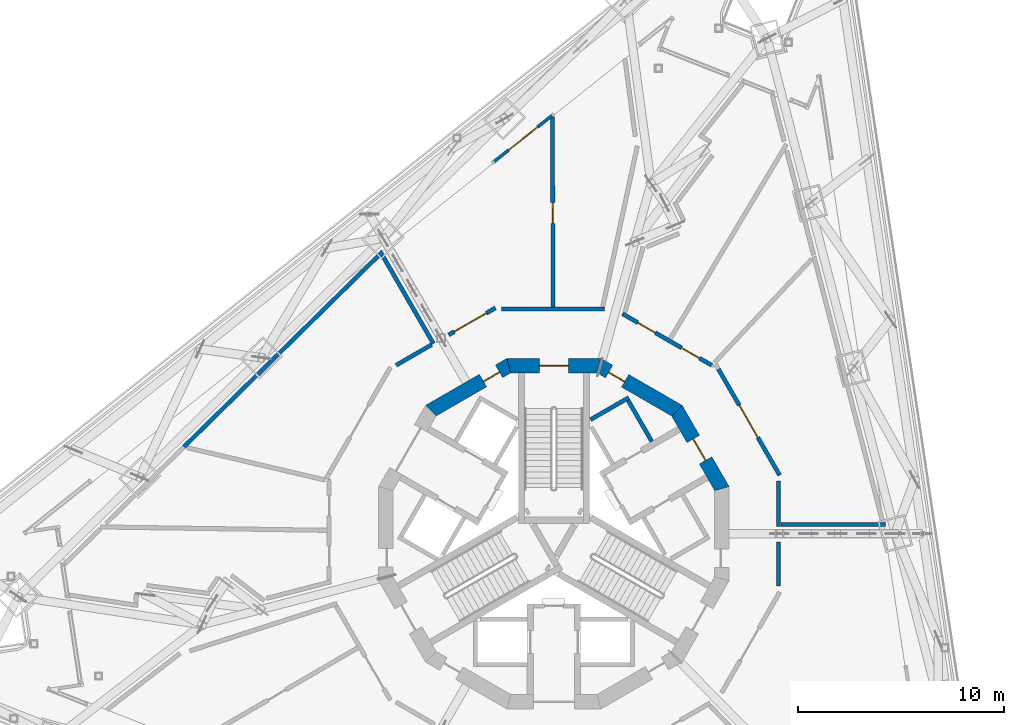
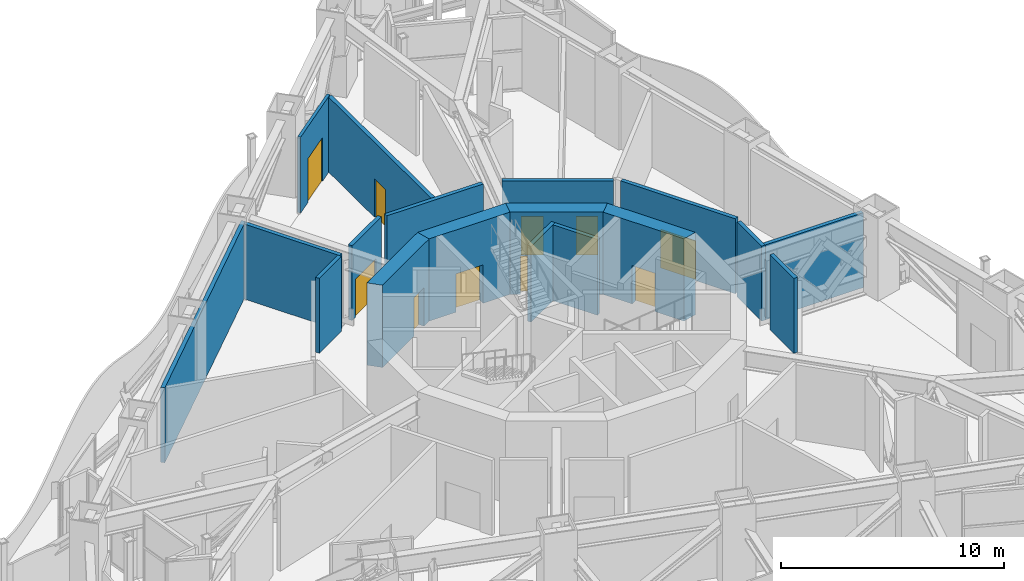
# One storey, part 13 of 27: 18 walls, 10 doors, 10 openings.
"""IFC4 building model written with IfcOpenShell, lengths in metres."""

from ifc_helpers import new_model, si_unit, direction, frame, frame_2d, origin, place, context, subcontext, project, spatial, polyline, rectangle, outline, extrude, material, layer, layer_set, type_object, element, fill, save


model = new_model("IFC4")

# Units and contexts
model_context = context("Model", 3, precision=1e-05, world=origin(), true_north=direction((0.0, 1.0)))
body_context = subcontext(model_context, "Body", "Model", "MODEL_VIEW")
ifc_project = project(units=[si_unit("LENGTHUNIT", "METRE"), si_unit("AREAUNIT", "SQUARE_METRE"), si_unit("VOLUMEUNIT", "CUBIC_METRE"), si_unit("PLANEANGLEUNIT", "RADIAN"), si_unit("MASSUNIT", "GRAM", prefix="KILO")], contexts=[model_context])

# Site, building, storey
site_placement = place(None, origin())
site = spatial("IfcSite", under=ifc_project, at=site_placement, CompositionType="ELEMENT")
building_placement = place(site_placement, origin())
building = spatial("IfcBuilding", under=site, at=building_placement, Name="Trine Commons Tower", CompositionType="ELEMENT")
storey_placement = place(building_placement, frame((0.0, 0.0, 230.39990234375)))
storey = spatial("IfcBuildingStorey", under=building, at=storey_placement, Name="L60", CompositionType="ELEMENT", Elevation=230.39990234375)

# Walls
ifc_material_1 = material(Name="Plasterboard on steel stud", Category="steel")
ifc_layer_1 = layer(ifc_material_1, 0.199951171875)
ifc_layer_set_1 = layer_set([ifc_layer_1], Name="Plasterboard on steel stud")
wall_type_1 = type_object("IfcWallType", Name="Fire wall 200 mm, EI 120", PredefinedType="PARTITIONING", material=ifc_layer_set_1)
wall_1_placement = place(storey_placement, frame((62.058349609375, 66.709228515625, 0.0), z_axis=(0.0, 0.0, 1.0), x_axis=(0.713251000002, 0.700908703752, 0.0)))
element("IfcWall", 1, at=wall_1_placement, inside=storey, type_object=wall_type_1, Name="Partition M60010", PredefinedType="PARTITIONING", context=body_context, shape_type="SweptSolid", body=[
    extrude(rectangle(XDim=13.51025390625, YDim=0.199951171875, at=frame_2d((6.755126953125, 0.0))), origin(), (0.0, 0.0, 1.0), 4.10009765625),
])
wall_2_placement = place(storey_placement, frame((71.68798828125, 75.996826171875, 0.0), z_axis=(0.0, 0.0, 1.0), x_axis=(0.499996112969, -0.866027647951, 0.0)))
element("IfcWall", 2, at=wall_2_placement, inside=storey, type_object=wall_type_1, Name="Partition M60020", PredefinedType="PARTITIONING", context=body_context, shape_type="SweptSolid", body=[
    extrude(rectangle(XDim=4.9423828125, YDim=0.199951171875, at=frame_2d((2.47119140625, 0.0))), origin(), (0.0, 0.0, 1.0), 4.10009765625),
])
wall_3_placement = place(storey_placement, frame((72.34375, 70.666015625, 0.0), z_axis=(0.0, 0.0, 1.0), x_axis=(0.866040737478, 0.499973440324, 0.0)))
element("IfcWall", 3, at=wall_3_placement, inside=storey, type_object=wall_type_1, Name="Partition M60022", PredefinedType="PARTITIONING", context=body_context, shape_type="SweptSolid", body=[
    extrude(rectangle(XDim=1.99267578125, YDim=0.199951171875, at=frame_2d((0.996337890625, 0.0))), origin(), (0.0, 0.0, 1.0), 4.10009765625),
])

# Wall, opening, door
wall_4_placement = place(storey_placement, frame((77.166015625, 73.4501953125, 0.0), z_axis=(0.0, 0.0, 1.0), x_axis=(-0.86605063142, -0.499956301907, 0.0)))
wall_4 = element("IfcWall", 4, at=wall_4_placement, inside=storey, type_object=wall_type_1, Name="Partition M60025", PredefinedType="PARTITIONING", context=body_context, shape_type="SweptSolid", body=[
    extrude(rectangle(XDim=2.620849609375, YDim=0.199951171875, at=frame_2d((1.310546875, 0.0))), origin(), (0.0, 0.0, 1.0), 4.10009765625),
])
opening_1_placement = place(wall_4_placement, frame((0.510498046875, 0.0, 0.0)))
opening_1 = element("IfcOpeningElement", 5, at=opening_1_placement, cuts=wall_4, Name="Opening D-M6006", PredefinedType="OPENING", context=body_context, shape_type="SweptSolid", body=[
    extrude(rectangle(XDim=1.800048828125, YDim=2.10009765625, at=frame_2d((0.89990234375, 1.050048828125))), frame((0.0, 0.10986328125, 0.0), z_axis=(0.0, -1.0, 0.0), x_axis=(1.0, 0.0, 0.0)), (0.0, 0.0, 1.0), 0.219970703125),
])
ifc_material_2 = material(Name="Timber fire door set", Category="wood")
door_type_1 = type_object("IfcDoorType", Name="Double swing door 1800x2100, FD60", OperationType="DOUBLE_DOOR_DOUBLE_SWING", PredefinedType="DOOR", material=ifc_material_2)
door_1_placement = place(opening_1_placement, origin())
door_1 = element("IfcDoor", 6, at=door_1_placement, inside=storey, type_object=door_type_1, Name="Door D-M6006", OperationType="DOUBLE_DOOR_DOUBLE_SWING", OverallHeight=2.10009765625, OverallWidth=1.800048828125, PredefinedType="DOOR", context=body_context, shape_type="SweptSolid", body=[
    extrude(rectangle(XDim=1.800048828125, YDim=2.10009765625, at=frame_2d((0.89990234375, 1.050048828125))), frame((0.0, 0.02490234375, 0.0), z_axis=(0.0, -1.0, 0.0), x_axis=(1.0, 0.0, 0.0)), (0.0, 0.0, 1.0), 0.050048828125),
])
fill(opening_1, door_1)

# Wall
wall_5_placement = place(storey_placement, frame((77.452392578125, 73.400146484375, 0.0), z_axis=(0.0, 0.0, 1.0), x_axis=(1.0, 0.0, 0.0)))
element("IfcWall", 7, at=wall_5_placement, inside=storey, type_object=wall_type_1, Name="Partition M60028", PredefinedType="PARTITIONING", context=body_context, shape_type="SweptSolid", body=[
    extrude(rectangle(XDim=4.994140625, YDim=0.199951171875, at=frame_2d((2.4970703125, 0.0))), origin(), (0.0, 0.0, 1.0), 4.10009765625),
])

# Wall, opening, door
wall_6_placement = place(storey_placement, frame((79.962158203125, 73.50048828125, 0.0), z_axis=(0.0, 0.0, 1.0), x_axis=(-0.003423274265, 0.999994140579, 0.0)))
wall_6 = element("IfcWall", 8, at=wall_6_placement, inside=storey, type_object=wall_type_1, Name="Partition M60029", PredefinedType="PARTITIONING", context=body_context, shape_type="SweptSolid", body=[
    extrude(rectangle(XDim=9.199951171875, YDim=0.199951171875, at=frame_2d((4.60009765625, 0.0))), origin(), (0.0, 0.0, 1.0), 4.10009765625),
])
opening_2_placement = place(wall_6_placement, frame((4.0498046875, 0.0, 0.0)))
opening_2 = element("IfcOpeningElement", 9, at=opening_2_placement, cuts=wall_6, Name="Opening D-M6008", PredefinedType="OPENING", context=body_context, shape_type="SweptSolid", body=[
    extrude(rectangle(XDim=1.0, YDim=2.10009765625, at=frame_2d((0.5, 1.050048828125))), frame((0.0, 0.10986328125, 0.0), z_axis=(0.0, -1.0, 0.0), x_axis=(1.0, 0.0, 0.0)), (0.0, 0.0, 1.0), 0.219970703125),
])
door_type_2 = type_object("IfcDoorType", Name="Single swing door 1000x2100, FD60", OperationType="SINGLE_SWING_LEFT", PredefinedType="DOOR", material=ifc_material_2)
door_2_placement = place(opening_2_placement, origin())
door_2 = element("IfcDoor", 10, at=door_2_placement, inside=storey, type_object=door_type_2, Name="Door D-M6008", OperationType="SINGLE_SWING_LEFT", OverallHeight=2.10009765625, OverallWidth=1.0, PredefinedType="DOOR", context=body_context, shape_type="SweptSolid", body=[
    extrude(rectangle(XDim=1.0, YDim=2.10009765625, at=frame_2d((0.5, 1.050048828125))), frame((0.0, 0.02490234375, 0.0), z_axis=(0.0, -1.0, 0.0), x_axis=(1.0, 0.0, 0.0)), (0.0, 0.0, 1.0), 0.050048828125),
])
fill(opening_2, door_2)

# Wall, openings, doors
wall_7_placement = place(storey_placement, frame((83.324462890625, 73.1669921875, 0.0), z_axis=(0.0, 0.0, 1.0), x_axis=(0.866021683832, -0.50000644309, 0.0)))
wall_7 = element("IfcWall", 11, at=wall_7_placement, inside=storey, type_object=wall_type_1, Name="Partition M60035", PredefinedType="PARTITIONING", context=body_context, shape_type="SweptSolid", body=[
    extrude(rectangle(XDim=5.0107421875, YDim=0.199951171875, at=frame_2d((2.50537109375, 0.0))), origin(), (0.0, 0.0, 1.0), 4.10009765625),
])
opening_3_placement = place(wall_7_placement, frame((0.8583984375, 0.0, 0.0)))
opening_3 = element("IfcOpeningElement", 12, at=opening_3_placement, cuts=wall_7, Name="Opening D-M6010", PredefinedType="OPENING", context=body_context, shape_type="SweptSolid", body=[
    extrude(rectangle(XDim=1.0, YDim=2.10009765625, at=frame_2d((0.5, 1.050048828125))), frame((0.0, 0.10986328125, 0.0), z_axis=(0.0, -1.0, 0.0), x_axis=(1.0, 0.0, 0.0)), (0.0, 0.0, 1.0), 0.219970703125),
])
opening_4_placement = place(wall_7_placement, frame((3.3134765625, 0.0, 0.0)))
opening_4 = element("IfcOpeningElement", 13, at=opening_4_placement, cuts=wall_7, Name="Opening D-M6011", PredefinedType="OPENING", context=body_context, shape_type="SweptSolid", body=[
    extrude(rectangle(XDim=1.0, YDim=2.10009765625, at=frame_2d((0.5, 1.050048828125))), frame((0.0, 0.10986328125, 0.0), z_axis=(0.0, -1.0, 0.0), x_axis=(1.0, 0.0, 0.0)), (0.0, 0.0, 1.0), 0.219970703125),
])
door_3_placement = place(opening_3_placement, origin())
door_3 = element("IfcDoor", 14, at=door_3_placement, inside=storey, type_object=door_type_2, Name="Door D-M6010", OperationType="SINGLE_SWING_LEFT", OverallHeight=2.10009765625, OverallWidth=1.0, PredefinedType="DOOR", context=body_context, shape_type="SweptSolid", body=[
    extrude(rectangle(XDim=1.0, YDim=2.10009765625, at=frame_2d((0.5, 1.050048828125))), frame((0.0, 0.02490234375, 0.0), z_axis=(0.0, -1.0, 0.0), x_axis=(1.0, 0.0, 0.0)), (0.0, 0.0, 1.0), 0.050048828125),
])
fill(opening_3, door_3)
door_4_placement = place(opening_4_placement, origin())
door_4 = element("IfcDoor", 15, at=door_4_placement, inside=storey, type_object=door_type_2, Name="Door D-M6011", OperationType="SINGLE_SWING_LEFT", OverallHeight=2.10009765625, OverallWidth=1.0, PredefinedType="DOOR", context=body_context, shape_type="SweptSolid", body=[
    extrude(rectangle(XDim=1.0, YDim=2.10009765625, at=frame_2d((0.5, 1.050048828125))), frame((0.0, 0.02490234375, 0.0), z_axis=(0.0, -1.0, 0.0), x_axis=(1.0, 0.0, 0.0)), (0.0, 0.0, 1.0), 0.050048828125),
])
fill(opening_4, door_4)

# Wall, opening, door
wall_8_placement = place(storey_placement, frame((90.9501953125, 65.333984375, 0.0), z_axis=(0.0, 0.0, 1.0), x_axis=(-0.499992780121, 0.866029572143, 0.0)))
wall_8 = element("IfcWall", 16, at=wall_8_placement, inside=storey, type_object=wall_type_1, Name="Partition M60049", PredefinedType="PARTITIONING", context=body_context, shape_type="SweptSolid", body=[
    extrude(rectangle(XDim=5.94140625, YDim=0.199951171875, at=frame_2d((2.970703125, 0.0))), origin(), (0.0, 0.0, 1.0), 4.10009765625),
])
opening_5_placement = place(wall_8_placement, frame((2.12060546875, 0.0, 0.0)))
opening_5 = element("IfcOpeningElement", 17, at=opening_5_placement, cuts=wall_8, Name="Opening D-M6012", PredefinedType="OPENING", context=body_context, shape_type="SweptSolid", body=[
    extrude(rectangle(XDim=1.800048828125, YDim=2.10009765625, at=frame_2d((0.89990234375, 1.050048828125))), frame((0.0, 0.10986328125, 0.0), z_axis=(0.0, -1.0, 0.0), x_axis=(1.0, 0.0, 0.0)), (0.0, 0.0, 1.0), 0.219970703125),
])
door_5_placement = place(opening_5_placement, origin())
door_5 = element("IfcDoor", 18, at=door_5_placement, inside=storey, type_object=door_type_1, Name="Door D-M6012", OperationType="DOUBLE_DOOR_DOUBLE_SWING", OverallHeight=2.10009765625, OverallWidth=1.800048828125, PredefinedType="DOOR", context=body_context, shape_type="SweptSolid", body=[
    extrude(rectangle(XDim=1.800048828125, YDim=2.10009765625, at=frame_2d((0.89990234375, 1.050048828125))), frame((0.0, 0.02490234375, 0.0), z_axis=(0.0, -1.0, 0.0), x_axis=(1.0, 0.0, 0.0)), (0.0, 0.0, 1.0), 0.050048828125),
])
fill(opening_5, door_5)

# Walls
wall_9_placement = place(storey_placement, frame((90.900146484375, 59.952392578125, 0.0), z_axis=(0.0, 0.0, 1.0), x_axis=(0.0, 1.0, 0.0)))
element("IfcWall", 19, at=wall_9_placement, inside=storey, type_object=wall_type_1, Name="Partition M60054", PredefinedType="PARTITIONING", context=body_context, shape_type="SweptSolid", body=[
    extrude(rectangle(XDim=2.147705078125, YDim=0.199951171875, at=frame_2d((1.07373046875, 0.0))), origin(), (0.0, 0.0, 1.0), 4.10009765625),
])
wall_10_placement = place(storey_placement, frame((90.900146484375, 62.849853515625, 0.0), z_axis=(0.0, 0.0, 1.0), x_axis=(0.0, 1.0, 0.0)))
element("IfcWall", 20, at=wall_10_placement, inside=storey, type_object=wall_type_1, Name="Partition M60055", PredefinedType="PARTITIONING", context=body_context, shape_type="SweptSolid", body=[
    extrude(rectangle(XDim=2.19775390625, YDim=0.199951171875, at=frame_2d((1.098876953125, 0.0))), origin(), (0.0, 0.0, 1.0), 4.10009765625),
])
wall_11_placement = place(storey_placement, frame((91.002197265625, 62.949951171875, 0.0), z_axis=(0.0, 0.0, 1.0), x_axis=(1.0, 0.0, 0.0)))
element("IfcWall", 21, at=wall_11_placement, inside=storey, type_object=wall_type_1, Name="Partition M60056", PredefinedType="PARTITIONING", context=body_context, shape_type="SweptSolid", body=[
    extrude(rectangle(XDim=5.071533203125, YDim=0.199951171875, at=frame_2d((2.53564453125, 0.0))), origin(), (0.0, 0.0, 1.0), 4.10009765625),
])

# Wall, opening, door
ifc_material_3 = material(Name="Aluminium-framed insulated wall panel", Category="aluminium")
ifc_layer_2 = layer(ifc_material_3, 0.14990234375)
ifc_layer_set_2 = layer_set([ifc_layer_2], Name="Aluminium-framed insulated wall panel")
wall_type_2 = type_object("IfcWallType", Name="Glazed entrance wall 150, EI 60", PredefinedType="SOLIDWALL", material=ifc_layer_set_2)
wall_12_placement = place(storey_placement, frame((77.102294921875, 80.544189453125, 0.0), z_axis=(0.0, 0.0, 1.0), x_axis=(0.782592762034, 0.622533990086, 0.0)))
wall_12 = element("IfcWall", 22, at=wall_12_placement, inside=storey, type_object=wall_type_2, Name="Glazed entrance wall L60 F1 9", PredefinedType="SOLIDWALL", context=body_context, shape_type="SweptSolid", body=[
    extrude(rectangle(XDim=3.5859375, YDim=0.14990234375, at=frame_2d((1.79296875, 0.0))), origin(), (0.0, 0.0, 1.0), 4.150146484375),
])
opening_6_placement = place(wall_12_placement, frame((0.89306640625, 0.0, 0.0)))
opening_6 = element("IfcOpeningElement", 23, at=opening_6_placement, cuts=wall_12, Name="Opening SD-L60-F1-09", PredefinedType="OPENING", context=body_context, shape_type="SweptSolid", body=[
    extrude(rectangle(XDim=1.800048828125, YDim=2.39990234375, at=frame_2d((0.89990234375, 1.199951171875))), frame((0.0, 0.0849609375, 0.0), z_axis=(0.0, -1.0, 0.0), x_axis=(1.0, 0.0, 0.0)), (0.0, 0.0, 1.0), 0.169921875),
])
ifc_material_4 = material(Name="Anodised aluminium frame with double glazing", Category="aluminium")
door_type_3 = type_object("IfcDoorType", Name="Sliding double door 1800x2400", OperationType="DOUBLE_DOOR_SLIDING", PredefinedType="DOOR", material=ifc_material_4)
door_6_placement = place(opening_6_placement, origin())
door_6 = element("IfcDoor", 24, at=door_6_placement, inside=storey, type_object=door_type_3, Name="Loggia door L60 F1 9", OperationType="DOUBLE_DOOR_SLIDING", OverallHeight=2.39990234375, OverallWidth=1.800048828125, PredefinedType="DOOR", context=body_context, shape_type="SweptSolid", body=[
    extrude(rectangle(XDim=1.800048828125, YDim=2.39990234375, at=frame_2d((0.89990234375, 1.199951171875))), frame((0.0, 0.02490234375, 0.0), z_axis=(0.0, -1.0, 0.0), x_axis=(1.0, 0.0, 0.0)), (0.0, 0.0, 1.0), 0.050048828125),
])
fill(opening_6, door_6)

ifc_material_5 = material(Name="Concrete C50/60", Category="concrete")
ifc_layer_3 = layer(ifc_material_5, 0.699951171875)
ifc_layer_set_3 = layer_set([ifc_layer_3], Name="Concrete C50/60")
wall_type_3 = type_object("IfcWallType", Name="RC shear wall 700 mm, C50/60", PredefinedType="SHEAR", material=ifc_layer_set_3)
wall_13_placement = place(storey_placement, frame((88.197021484375, 64.6025390625, 0.0), z_axis=(0.0, 0.0, 1.0), x_axis=(-0.499983800959, 0.866034756103, 0.0)))
wall_13 = element("IfcWall", 25, at=wall_13_placement, inside=storey, type_object=wall_type_3, Name="Core wall CWG-02 L60", PredefinedType="SHEAR", context=body_context, shape_type="SweptSolid", body=[
    extrude(outline(polyline([(0.0, -0.35009765625), (4.55517578125, -0.35009765625), (4.36767578125, 0.35009765625), (0.1875, 0.35009765625), (0.0, -0.35009765625)])), origin(), (0.0, 0.0, 1.0), 4.5),
])
opening_7_placement = place(wall_13_placement, frame((1.677490234375, 0.0, 0.0)))
opening_7 = element("IfcOpeningElement", 26, at=opening_7_placement, cuts=wall_13, Name="Opening K17.04", PredefinedType="OPENING", context=body_context, shape_type="SweptSolid", body=[
    extrude(rectangle(XDim=1.199951171875, YDim=2.10009765625, at=frame_2d((0.60009765625, 1.050048828125))), frame((0.0, 0.35986328125, 0.0), z_axis=(0.0, -1.0, 0.0), x_axis=(1.0, 0.0, 0.0)), (0.0, 0.0, 1.0), 0.719970703125),
])
ifc_material_6 = material(Name="Steel door leaves, fire-rated", Category="steel")
door_type_4 = type_object("IfcDoorType", Name="Lobby door, double leaf 1200 x 2100, FD60", OperationType="DOUBLE_DOOR_SINGLE_SWING", PredefinedType="DOOR", material=ifc_material_6)
door_7_placement = place(opening_7_placement, origin())
door_7 = element("IfcDoor", 27, at=door_7_placement, inside=storey, type_object=door_type_4, Name="Lobby door, Core lounge L60", OperationType="DOUBLE_DOOR_SINGLE_SWING", OverallHeight=2.10009765625, OverallWidth=1.199951171875, PredefinedType="DOOR", context=body_context, shape_type="SweptSolid", body=[
    extrude(rectangle(XDim=1.199951171875, YDim=2.10009765625, at=frame_2d((0.60009765625, 1.050048828125))), frame((0.0, 0.02490234375, 0.0), z_axis=(0.0, -1.0, 0.0), x_axis=(1.0, 0.0, 0.0)), (0.0, 0.0, 1.0), 0.050048828125),
])
fill(opening_7, door_7)

wall_14_placement = place(storey_placement, frame((86.047607421875, 68.41943359375, 0.0), z_axis=(0.0, 0.0, 1.0), x_axis=(-0.866034756103, 0.499983800959, 0.0)))
wall_14 = element("IfcWall", 28, at=wall_14_placement, inside=storey, type_object=wall_type_3, Name="Core wall CWG-03 L60", PredefinedType="SHEAR", context=body_context, shape_type="SweptSolid", body=[
    extrude(outline(polyline([(0.0, -0.35009765625), (4.55517578125, -0.35009765625), (4.36767578125, 0.35009765625), (0.1875, 0.35009765625), (0.0, -0.35009765625)])), origin(), (0.0, 0.0, 1.0), 4.5),
])
opening_8_placement = place(wall_14_placement, frame((2.990966796875, 0.0, 0.0)))
opening_8 = element("IfcOpeningElement", 29, at=opening_8_placement, cuts=wall_14, Name="Opening K17.12", PredefinedType="OPENING", context=body_context, shape_type="SweptSolid", body=[
    extrude(rectangle(XDim=0.89990234375, YDim=2.10009765625, at=frame_2d((0.449951171875, 1.050048828125))), frame((0.0, 0.35986328125, 0.0), z_axis=(0.0, -1.0, 0.0), x_axis=(1.0, 0.0, 0.0)), (0.0, 0.0, 1.0), 0.719970703125),
])
ifc_material_7 = material(Name="Steel door leaf, fire-rated", Category="steel")
door_type_5 = type_object("IfcDoorType", Name="Core room door, single leaf 900 x 2100, FD30S", OperationType="SINGLE_SWING_LEFT", PredefinedType="DOOR", material=ifc_material_7)
door_8_placement = place(opening_8_placement, origin())
door_8 = element("IfcDoor", 30, at=door_8_placement, inside=storey, type_object=door_type_5, Name="Door to Plant room L60", OperationType="SINGLE_SWING_RIGHT", OverallHeight=2.10009765625, OverallWidth=0.89990234375, PredefinedType="DOOR", context=body_context, shape_type="SweptSolid", body=[
    extrude(rectangle(XDim=0.89990234375, YDim=2.10009765625, at=frame_2d((0.449951171875, 1.050048828125))), frame((0.0, 0.0751953125, 0.0), z_axis=(0.0, -1.0, 0.0), x_axis=(1.0, 0.0, 0.0)), (0.0, 0.0, 1.0), 0.050048828125),
])
fill(opening_8, door_8)

wall_15_placement = place(storey_placement, frame((82.277587890625, 70.650146484375, 0.0), z_axis=(0.0, 0.0, 1.0), x_axis=(-1.0, 0.0, 0.0)))
wall_15 = element("IfcWall", 31, at=wall_15_placement, inside=storey, type_object=wall_type_3, Name="Core wall CWG-04 L60", PredefinedType="SHEAR", context=body_context, shape_type="SweptSolid", body=[
    extrude(outline(polyline([(0.0, -0.35009765625), (4.55517578125, -0.35009765625), (4.36767578125, 0.35009765625), (0.1875, 0.35009765625), (0.0, -0.35009765625)])), origin(), (0.0, 0.0, 1.0), 4.5),
])
opening_9_placement = place(wall_15_placement, frame((1.57763671875, 0.0, 0.0)))
opening_9 = element("IfcOpeningElement", 32, at=opening_9_placement, cuts=wall_15, Name="Opening K17.01", PredefinedType="OPENING", context=body_context, shape_type="SweptSolid", body=[
    extrude(rectangle(XDim=1.39990234375, YDim=2.10009765625, at=frame_2d((0.699951171875, 1.050048828125))), frame((0.0, 0.35986328125, 0.0), z_axis=(0.0, -1.0, 0.0), x_axis=(1.0, 0.0, 0.0)), (0.0, 0.0, 1.0), 0.719970703125),
])
door_type_6 = type_object("IfcDoorType", Name="Stair door, double leaf 1400 x 2100, FD90", OperationType="DOUBLE_DOOR_SINGLE_SWING", PredefinedType="DOOR", material=ifc_material_6)
door_9_placement = place(opening_9_placement, origin())
door_9 = element("IfcDoor", 33, at=door_9_placement, inside=storey, type_object=door_type_6, Name="Stair door to Exit stair ST1C L60", OperationType="DOUBLE_DOOR_SINGLE_SWING", OverallHeight=2.10009765625, OverallWidth=1.39990234375, PredefinedType="DOOR", context=body_context, shape_type="SweptSolid", body=[
    extrude(rectangle(XDim=1.39990234375, YDim=2.10009765625, at=frame_2d((0.699951171875, 1.050048828125))), frame((0.0, 0.02490234375, 0.0), z_axis=(0.0, -1.0, 0.0), x_axis=(1.0, 0.0, 0.0)), (0.0, 0.0, 1.0), 0.050048828125),
])
fill(opening_9, door_9)

wall_16_placement = place(storey_placement, frame((77.8974609375, 70.697021484375, 0.0), z_axis=(0.0, 0.0, 1.0), x_axis=(-0.866034756103, -0.499983800959, 0.0)))
wall_16 = element("IfcWall", 34, at=wall_16_placement, inside=storey, type_object=wall_type_3, Name="Core wall CWG-05 L60", PredefinedType="SHEAR", context=body_context, shape_type="SweptSolid", body=[
    extrude(outline(polyline([(0.0, -0.35009765625), (4.55517578125, -0.35009765625), (4.36767578125, 0.35009765625), (0.1875, 0.35009765625), (0.0, -0.35009765625)])), origin(), (0.0, 0.0, 1.0), 4.5),
])
opening_10_placement = place(wall_16_placement, frame((0.641845703125, 0.0, 0.0)))
opening_10 = element("IfcOpeningElement", 35, at=opening_10_placement, cuts=wall_16, Name="Opening K17.13", PredefinedType="OPENING", context=body_context, shape_type="SweptSolid", body=[
    extrude(rectangle(XDim=0.89990234375, YDim=2.10009765625, at=frame_2d((0.449951171875, 1.050048828125))), frame((0.0, 0.35986328125, 0.0), z_axis=(0.0, -1.0, 0.0), x_axis=(1.0, 0.0, 0.0)), (0.0, 0.0, 1.0), 0.719970703125),
])
door_10_placement = place(opening_10_placement, origin())
door_10 = element("IfcDoor", 36, at=door_10_placement, inside=storey, type_object=door_type_5, Name="Door to Store L60", OperationType="SINGLE_SWING_LEFT", OverallHeight=2.10009765625, OverallWidth=0.89990234375, PredefinedType="DOOR", context=body_context, shape_type="SweptSolid", body=[
    extrude(rectangle(XDim=0.89990234375, YDim=2.10009765625, at=frame_2d((0.449951171875, 1.050048828125))), frame((0.0, 0.0751953125, 0.0), z_axis=(0.0, -1.0, 0.0), x_axis=(1.0, 0.0, 0.0)), (0.0, 0.0, 1.0), 0.050048828125),
])
fill(opening_10, door_10)

# Walls
ifc_material_8 = material(Name="Fire-rated gypsum shaft wall system")
ifc_layer_4 = layer(ifc_material_8, 0.199951171875)
ifc_layer_set_4 = layer_set([ifc_layer_4], Name="Fire-rated gypsum shaft wall system")
wall_type_4 = type_object("IfcWallType", Name="Shaft wall 200 mm, EI 120", PredefinedType="PARTITIONING", material=ifc_layer_set_4)
wall_17_placement = place(storey_placement, frame((81.77490234375, 68.028076171875, 0.0), z_axis=(0.0, 0.0, 1.0), x_axis=(0.866130725101, 0.499817533742, 0.0)))
element("IfcWall", 37, at=wall_17_placement, inside=storey, type_object=wall_type_4, Name="Shaft wall L60", PredefinedType="PARTITIONING", context=body_context, shape_type="SweptSolid", body=[
    extrude(rectangle(XDim=2.148681640625, YDim=0.199951171875, at=frame_2d((1.07421875, 0.0))), origin(), (0.0, 0.0, 1.0), 4.150146484375),
])
wall_18_placement = place(storey_placement, frame((84.7490234375, 66.97412109375, 0.0), z_axis=(0.0, 0.0, 1.0), x_axis=(-0.500136062276, 0.86594683394, 0.0)))
element("IfcWall", 38, at=wall_18_placement, inside=storey, type_object=wall_type_4, Name="Shaft wall L60", PredefinedType="PARTITIONING", context=body_context, shape_type="SweptSolid", body=[
    extrude(rectangle(XDim=2.299072265625, YDim=0.199951171875, at=frame_2d((1.1494140625, 0.0))), origin(), (0.0, 0.0, 1.0), 4.150146484375),
])

save(model, "model.ifc")
